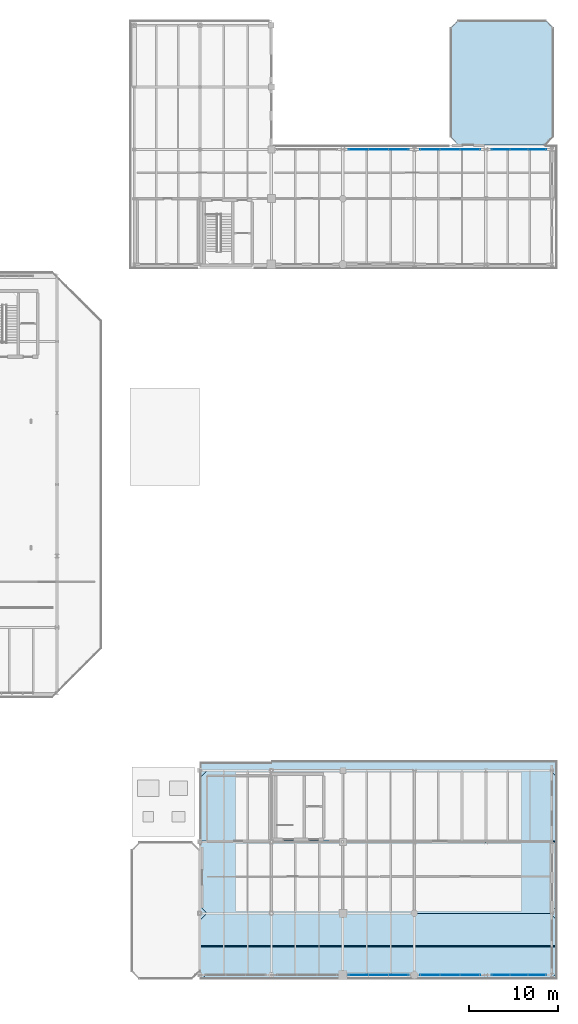
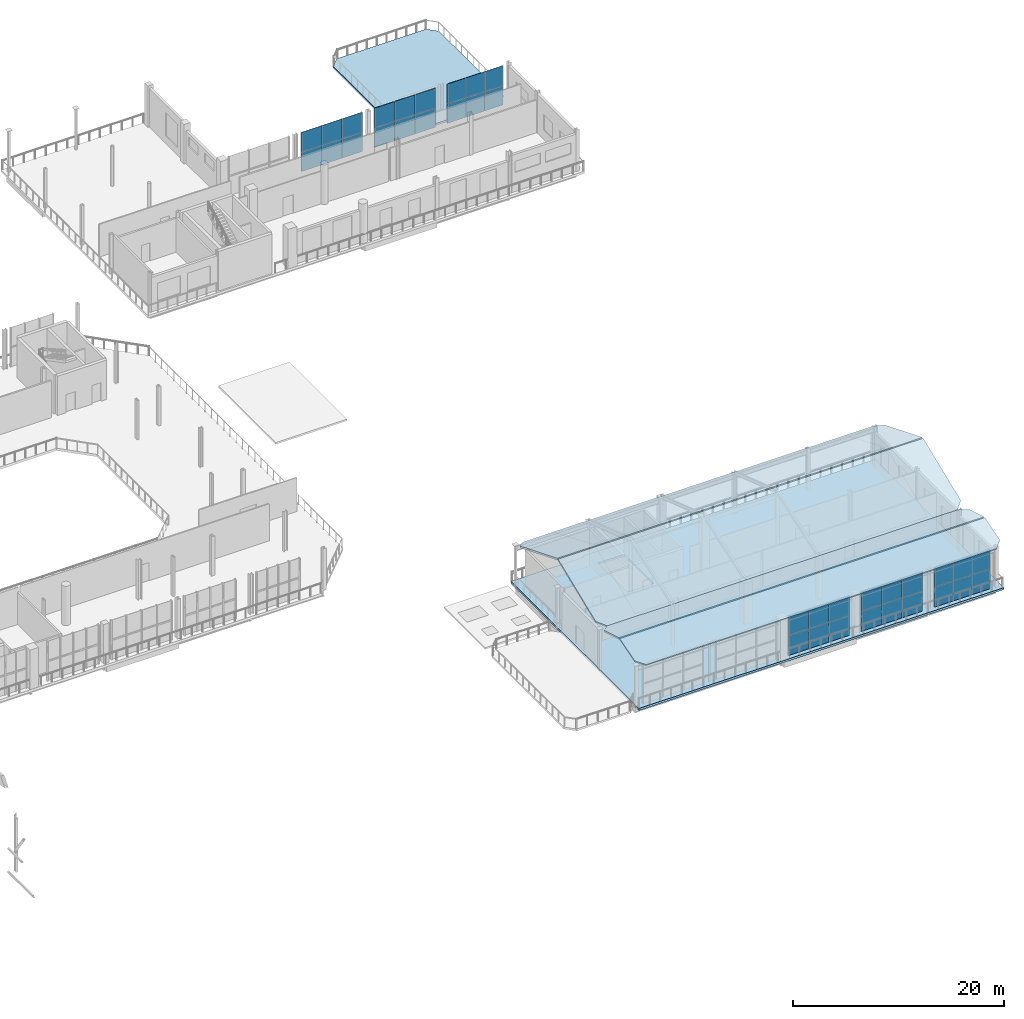
# One storey, part 31 of 51: 36 plates, 6 slabs, 6 elements without a shape of their own.
"""IFC4 building model written with IfcOpenShell, lengths in metres."""

import ifcopenshell
import ifcopenshell.guid

model = None  # the IFC model being written
_history = None  # IfcOwnerHistory: only IFC2X3 demands one
_inside = {}  # id of a spatial element -> (the spatial element, [elements in it])
_under = {}  # id of a project, library or spatial element -> (it, [spatial elements below it])
_declared = {}  # id of a project -> (the project, [libraries it declares])
_typed = {}  # id of a type object -> (the type object, [elements of that type])
_made_of = {}  # id of a material, layer set ... -> (it, [elements and type objects made of it])


def new_model(schema):
    """Start an empty IFC model of exactly this schema.

    Asked for "IFC4X3", IfcOpenShell would pick the latest addendum, in which some entities
    have other attributes; the version numbers below select the first issue.
    IFC2X3 requires an IfcOwnerHistory on every rooted entity: one is made here for all.
    """
    global model, _history
    if schema == "IFC4X3":
        model = ifcopenshell.file(schema_version=(4, 3, 0, 0))
    else:
        model = ifcopenshell.file(schema=schema)
    _inside.clear()
    _under.clear()
    _declared.clear()
    _typed.clear()
    _made_of.clear()
    _history = None
    if model.schema == "IFC2X3":
        org = make("IfcOrganization", Name="unknown")
        user = make(
            "IfcPersonAndOrganization",
            ThePerson=make("IfcPerson", FamilyName="unknown"),
            TheOrganization=org,
        )
        app = make(
            "IfcApplication",
            ApplicationDeveloper=org,
            Version="unknown",
            ApplicationFullName="unknown",
            ApplicationIdentifier="unknown",
        )
        _history = make(
            "IfcOwnerHistory",
            OwningUser=user,
            OwningApplication=app,
            ChangeAction="ADDED",
            CreationDate=0,
        )
    return model


def make(cls, **values):
    """One entity of the class cls with the attributes given. An attribute that is None is left unset."""
    return model.create_entity(
        cls, **{name: value for name, value in values.items() if value is not None}
    )


def rooted(cls, **values):
    """An entity with a GlobalId (a new one), such as an element, a storey or a relation."""
    return make(cls, GlobalId=ifcopenshell.guid.new(), OwnerHistory=_history, **values)


def si_unit(unit_type, name, prefix=None):
    """IfcSIUnit, for example si_unit("LENGTHUNIT", "METRE", prefix="MILLI")."""
    return make("IfcSIUnit", UnitType=unit_type, Prefix=prefix, Name=name)


def assignment(units):
    """IfcUnitAssignment: the units of a project."""
    return None if units is None else make("IfcUnitAssignment", Units=units)


def point(xyz):
    """IfcCartesianPoint."""
    return None if xyz is None else make("IfcCartesianPoint", Coordinates=xyz)


def direction(xyz):
    """IfcDirection."""
    return None if xyz is None else make("IfcDirection", DirectionRatios=xyz)


def frame(location, z_axis=None, x_axis=None):
    """IfcAxis2Placement3D, a coordinate frame: its origin and axes. An axis left out is left unset."""
    return make(
        "IfcAxis2Placement3D",
        Location=point(location),
        Axis=direction(z_axis),
        RefDirection=direction(x_axis),
    )


def frame_2d(location, x_axis=None):
    """IfcAxis2Placement2D, a coordinate frame in the plane: its origin and x axis."""
    return make(
        "IfcAxis2Placement2D", Location=point(location), RefDirection=direction(x_axis)
    )


def origin():
    """The frame at (0, 0, 0) with its axes left unset."""
    return frame((0.0, 0.0, 0.0))


def origin_2d():
    """The frame at (0, 0) in the plane with its x axis left unset."""
    return frame_2d((0.0, 0.0))


def place(relative_to, where):
    """IfcLocalPlacement: puts the frame where relative to a parent placement (None: the world)."""
    return make(
        "IfcLocalPlacement", PlacementRelTo=relative_to, RelativePlacement=where
    )


def context(
    kind, dimensions, precision=None, world=None, true_north=None, identifier=None
):
    """IfcGeometricRepresentationContext, for example the 3D "Model" context."""
    return make(
        "IfcGeometricRepresentationContext",
        ContextIdentifier=identifier,
        ContextType=kind,
        CoordinateSpaceDimension=dimensions,
        Precision=precision,
        WorldCoordinateSystem=world,
        TrueNorth=true_north,
    )


def subcontext(parent, identifier, kind, view, scale=None):
    """IfcGeometricRepresentationSubContext, for example "Body" below "Model"."""
    return make(
        "IfcGeometricRepresentationSubContext",
        ContextIdentifier=identifier,
        ContextType=kind,
        ParentContext=parent,
        TargetScale=scale,
        TargetView=view,
    )


def project(units=None, contexts=None):
    """IfcProject with its units and contexts."""
    return rooted(
        "IfcProject",
        Name="project",
        RepresentationContexts=contexts,
        UnitsInContext=assignment(units),
    )


def spatial(cls, under=None, at=None, **own):
    """A site, building, storey or space (cls), placed at a placement, below another one or the project."""
    s = rooted(cls, ObjectPlacement=at, **own)
    if under is not None:
        _under.setdefault(under.id(), (under, []))[1].append(s)
    return s


def polyline(points):
    """IfcPolyline through the points."""
    return make("IfcPolyline", Points=[point(p) for p in points])


def profile(cls, at=None, kind="AREA", **sizes):
    """A parametric profile (cls). Its sizes go by their IFC names, for example OverallWidth=200.0."""
    return make(cls, ProfileType=kind, Position=at, **sizes)


def rectangle(**sizes):
    """IfcRectangleProfileDef."""
    return profile("IfcRectangleProfileDef", **sizes)


def outline(outer, holes=None, kind="AREA"):
    """IfcArbitraryClosedProfileDef: a profile drawn as a closed curve; with holes, ...WithVoids."""
    if holes is None:
        return make("IfcArbitraryClosedProfileDef", ProfileType=kind, OuterCurve=outer)
    return make(
        "IfcArbitraryProfileDefWithVoids",
        ProfileType=kind,
        OuterCurve=outer,
        InnerCurves=holes,
    )


def extrude(swept, where, along, depth):
    """IfcExtrudedAreaSolid: the profile swept, set in the frame where, extruded along a direction by depth."""
    return make(
        "IfcExtrudedAreaSolid",
        SweptArea=swept,
        Position=where,
        ExtrudedDirection=direction(along),
        Depth=depth,
    )


def shape(context_of_items, identifier, shape_type, items):
    """IfcShapeRepresentation: the items that make up one representation, for example the "Body"."""
    return make(
        "IfcShapeRepresentation",
        ContextOfItems=context_of_items,
        RepresentationIdentifier=identifier,
        RepresentationType=shape_type,
        Items=items,
    )


def material(Name=None, Category=None):
    """IfcMaterial."""
    return make("IfcMaterial", Name=Name, Category=Category)


def layer(
    of_material, thickness, ventilated=None, Name=None, Category=None, Priority=None
):
    """IfcMaterialLayer: one layer of a wall or slab, of a material (None: an air gap)."""
    return make(
        "IfcMaterialLayer",
        Material=of_material,
        LayerThickness=thickness,
        IsVentilated=ventilated,
        Name=Name,
        Category=Category,
        Priority=Priority,
    )


def layer_set(layers, Name=None):
    """IfcMaterialLayerSet."""
    return make("IfcMaterialLayerSet", MaterialLayers=layers, LayerSetName=Name)


def made_of(thing, what):
    """Note that an element or type object is made of a material, layer set ...; save() writes the relation."""
    if what is not None:
        _made_of.setdefault(what.id(), (what, []))[1].append(thing)
    return thing


def type_object(cls, material=None, **own):
    """A type object (cls), such as IfcWallType, which elements share."""
    return made_of(rooted(cls, **own), material)


def element(
    cls,
    number,
    at=None,
    inside=None,
    cuts=None,
    type_object=None,
    material=None,
    context=None,
    identifier="Body",
    shape_type=None,
    held_by="IfcProductDefinitionShape",
    body=None,
    shapes=None,
    **own,
):
    """One element of the class cls, such as IfcWall. Its Tag is "e" and its number.

    at: its placement. inside: the storey or other place that contains it. cuts: it is an
    opening in that element (IfcRelVoidsElement). A single representation is given by context,
    identifier, shape_type and body (its items); several are given by shapes. held_by: the class
    of the entity that holds the representations. save() writes the other relations.
    """
    e = rooted(cls, Tag="e%d" % number, ObjectPlacement=at, **own)
    if body is not None:
        shapes = [shape(context, identifier, shape_type, body)]
    if shapes is not None:
        e.Representation = make(held_by, Representations=shapes)
    if inside is not None:
        _inside.setdefault(inside.id(), (inside, []))[1].append(e)
    if cuts is not None:
        rooted(
            "IfcRelVoidsElement", RelatingBuildingElement=cuts, RelatedOpeningElement=e
        )
    if type_object is not None:
        _typed.setdefault(type_object.id(), (type_object, []))[1].append(e)
    return made_of(e, material)


def aggregate(whole, parts):
    """IfcRelAggregates: a whole, such as a stair, and the parts it consists of."""
    return rooted("IfcRelAggregates", RelatingObject=whole, RelatedObjects=parts)


def save(model, path):
    """Write the relations noted so far, then the file.

    IfcRelAggregates (storeys below a building ...), IfcRelContainedInSpatialStructure (elements
    in a storey), IfcRelDefinesByType, IfcRelAssociatesMaterial and IfcRelDeclares: one each for
    every whole, place, type object, material and project.
    """
    for whole, parts in _under.values():
        aggregate(whole, parts)
    for where, things in _inside.values():
        rooted(
            "IfcRelContainedInSpatialStructure",
            RelatedElements=things,
            RelatingStructure=where,
        )
    for kind, things in _typed.values():
        rooted("IfcRelDefinesByType", RelatedObjects=things, RelatingType=kind)
    for what, things in _made_of.values():
        rooted("IfcRelAssociatesMaterial", RelatedObjects=things, RelatingMaterial=what)
    for by, libraries in _declared.values():
        rooted("IfcRelDeclares", RelatingContext=by, RelatedDefinitions=libraries)
    model.write(path)


model = new_model("IFC4")

# Units and contexts
model_context = context("Model", 3, precision=1e-05, world=origin(), true_north=direction((0.0, 1.0)))
body_context = subcontext(model_context, "Body", "Model", "MODEL_VIEW")
ifc_project = project(units=[si_unit("LENGTHUNIT", "METRE"), si_unit("AREAUNIT", "SQUARE_METRE"), si_unit("VOLUMEUNIT", "CUBIC_METRE"), si_unit("PLANEANGLEUNIT", "RADIAN"), si_unit("MASSUNIT", "GRAM", prefix="KILO")], contexts=[model_context])

# Site, building, storey
site_placement = place(None, origin())
site = spatial("IfcSite", under=ifc_project, at=site_placement, CompositionType="ELEMENT")
building_placement = place(site_placement, origin())
building = spatial("IfcBuilding", under=site, at=building_placement, Name="Brisemont Oceanarium", CompositionType="ELEMENT")
storey_placement = place(building_placement, frame((0.0, 0.0, 15.0)))
storey = spatial("IfcBuildingStorey", under=building, at=storey_placement, Name="L03", CompositionType="ELEMENT", Elevation=15.0)

# Curtain wall, plates
ifc_material_1 = material(Name="Anodized Extruded Aluminum 6063-T6", Category="aluminium")
curtain_wall_type_1 = type_object("IfcCurtainWallType", Name="CW-EDU-58X43", PredefinedType="NOTDEFINED", material=ifc_material_1)
curtain_wall_1_placement = place(storey_placement, origin())
curtain_wall_1 = element("IfcCurtainWall", 1, at=curtain_wall_1_placement, inside=storey, type_object=curtain_wall_type_1, Name="CW-10 curtain wall CW-V3-S-L03-03", PredefinedType="NOTDEFINED")
ifc_material_2 = material(Name="Insulated Low-E Laminated Glass", Category="glass")
ifc_layer_1 = layer(ifc_material_2, 0.02587890625)
ifc_layer_set_1 = layer_set([ifc_layer_1], Name="Insulated Low-E Laminated Glass")
plate_type_1 = type_object("IfcPlateType", Name="PLT-CWP-V10", PredefinedType="CURTAIN_PANEL", material=ifc_layer_set_1)
plate_1_placement = place(storey_placement, frame((137.7666015625, 1.10009765625, 0.00146484375), z_axis=(0.0, 0.0, 1.0), x_axis=(1.0, 0.0, 0.0)))
plate_1 = element("IfcPlate", 2, at=plate_1_placement, type_object=plate_type_1, Name="CW-V3-S-L03-03 panel 1.1", PredefinedType="CURTAIN_PANEL", context=body_context, shape_type="SweptSolid", body=[
    extrude(rectangle(XDim=2.230224609375, YDim=0.02587890625, at=origin_2d()), origin(), (0.0, 0.0, 1.0), 2.297119140625),
])
plate_2_placement = place(storey_placement, frame((137.7666015625, 1.10009765625, 2.30126953125), z_axis=(0.0, 0.0, 1.0), x_axis=(1.0, 0.0, 0.0)))
plate_2 = element("IfcPlate", 3, at=plate_2_placement, type_object=plate_type_1, Name="CW-V3-S-L03-03 panel 1.2", PredefinedType="CURTAIN_PANEL", context=body_context, shape_type="SweptSolid", body=[
    extrude(rectangle(XDim=2.230224609375, YDim=0.02587890625, at=origin_2d()), origin(), (0.0, 0.0, 1.0), 2.297119140625),
])
plate_3_placement = place(storey_placement, frame((140.0, 1.10009765625, 0.00146484375), z_axis=(0.0, 0.0, 1.0), x_axis=(1.0, 0.0, 0.0)))
plate_3 = element("IfcPlate", 4, at=plate_3_placement, type_object=plate_type_1, Name="CW-V3-S-L03-03 panel 2.1", PredefinedType="CURTAIN_PANEL", context=body_context, shape_type="SweptSolid", body=[
    extrude(rectangle(XDim=2.230224609375, YDim=0.02587890625, at=origin_2d()), origin(), (0.0, 0.0, 1.0), 2.297119140625),
])
plate_4_placement = place(storey_placement, frame((140.0, 1.10009765625, 2.30126953125), z_axis=(0.0, 0.0, 1.0), x_axis=(1.0, 0.0, 0.0)))
plate_4 = element("IfcPlate", 5, at=plate_4_placement, type_object=plate_type_1, Name="CW-V3-S-L03-03 panel 2.2", PredefinedType="CURTAIN_PANEL", context=body_context, shape_type="SweptSolid", body=[
    extrude(rectangle(XDim=2.230224609375, YDim=0.02587890625, at=origin_2d()), origin(), (0.0, 0.0, 1.0), 2.297119140625),
])
plate_5_placement = place(storey_placement, frame((142.2333984375, 1.10009765625, 0.00146484375), z_axis=(0.0, 0.0, 1.0), x_axis=(1.0, 0.0, 0.0)))
plate_5 = element("IfcPlate", 6, at=plate_5_placement, type_object=plate_type_1, Name="CW-V3-S-L03-03 panel 3.1", PredefinedType="CURTAIN_PANEL", context=body_context, shape_type="SweptSolid", body=[
    extrude(rectangle(XDim=2.230224609375, YDim=0.02587890625, at=origin_2d()), origin(), (0.0, 0.0, 1.0), 2.297119140625),
])
plate_6_placement = place(storey_placement, frame((142.2333984375, 1.10009765625, 2.30126953125), z_axis=(0.0, 0.0, 1.0), x_axis=(1.0, 0.0, 0.0)))
plate_6 = element("IfcPlate", 7, at=plate_6_placement, type_object=plate_type_1, Name="CW-V3-S-L03-03 panel 3.2", PredefinedType="CURTAIN_PANEL", context=body_context, shape_type="SweptSolid", body=[
    extrude(rectangle(XDim=2.230224609375, YDim=0.02587890625, at=origin_2d()), origin(), (0.0, 0.0, 1.0), 2.297119140625),
])
aggregate(curtain_wall_1, [plate_1, plate_2, plate_3, plate_4, plate_5, plate_6])

curtain_wall_2_placement = place(storey_placement, origin())
curtain_wall_2 = element("IfcCurtainWall", 8, at=curtain_wall_2_placement, inside=storey, type_object=curtain_wall_type_1, Name="CW-10 curtain wall CW-V3-S-L03-04", PredefinedType="NOTDEFINED")
plate_7_placement = place(storey_placement, frame((145.7666015625, 1.10009765625, 0.00146484375), z_axis=(0.0, 0.0, 1.0), x_axis=(1.0, 0.0, 0.0)))
plate_7 = element("IfcPlate", 9, at=plate_7_placement, type_object=plate_type_1, Name="CW-V3-S-L03-04 panel 1.1", PredefinedType="CURTAIN_PANEL", context=body_context, shape_type="SweptSolid", body=[
    extrude(rectangle(XDim=2.230224609375, YDim=0.02587890625, at=origin_2d()), origin(), (0.0, 0.0, 1.0), 2.297119140625),
])
plate_8_placement = place(storey_placement, frame((145.7666015625, 1.10009765625, 2.30126953125), z_axis=(0.0, 0.0, 1.0), x_axis=(1.0, 0.0, 0.0)))
plate_8 = element("IfcPlate", 10, at=plate_8_placement, type_object=plate_type_1, Name="CW-V3-S-L03-04 panel 1.2", PredefinedType="CURTAIN_PANEL", context=body_context, shape_type="SweptSolid", body=[
    extrude(rectangle(XDim=2.230224609375, YDim=0.02587890625, at=origin_2d()), origin(), (0.0, 0.0, 1.0), 2.297119140625),
])
plate_9_placement = place(storey_placement, frame((148.0, 1.10009765625, 0.00146484375), z_axis=(0.0, 0.0, 1.0), x_axis=(1.0, 0.0, 0.0)))
plate_9 = element("IfcPlate", 11, at=plate_9_placement, type_object=plate_type_1, Name="CW-V3-S-L03-04 panel 2.1", PredefinedType="CURTAIN_PANEL", context=body_context, shape_type="SweptSolid", body=[
    extrude(rectangle(XDim=2.230224609375, YDim=0.02587890625, at=origin_2d()), origin(), (0.0, 0.0, 1.0), 2.297119140625),
])
plate_10_placement = place(storey_placement, frame((148.0, 1.10009765625, 2.30126953125), z_axis=(0.0, 0.0, 1.0), x_axis=(1.0, 0.0, 0.0)))
plate_10 = element("IfcPlate", 12, at=plate_10_placement, type_object=plate_type_1, Name="CW-V3-S-L03-04 panel 2.2", PredefinedType="CURTAIN_PANEL", context=body_context, shape_type="SweptSolid", body=[
    extrude(rectangle(XDim=2.230224609375, YDim=0.02587890625, at=origin_2d()), origin(), (0.0, 0.0, 1.0), 2.297119140625),
])
plate_11_placement = place(storey_placement, frame((150.2333984375, 1.10009765625, 0.00146484375), z_axis=(0.0, 0.0, 1.0), x_axis=(1.0, 0.0, 0.0)))
plate_11 = element("IfcPlate", 13, at=plate_11_placement, type_object=plate_type_1, Name="CW-V3-S-L03-04 panel 3.1", PredefinedType="CURTAIN_PANEL", context=body_context, shape_type="SweptSolid", body=[
    extrude(rectangle(XDim=2.230224609375, YDim=0.02587890625, at=origin_2d()), origin(), (0.0, 0.0, 1.0), 2.297119140625),
])
plate_12_placement = place(storey_placement, frame((150.2333984375, 1.10009765625, 2.30126953125), z_axis=(0.0, 0.0, 1.0), x_axis=(1.0, 0.0, 0.0)))
plate_12 = element("IfcPlate", 14, at=plate_12_placement, type_object=plate_type_1, Name="CW-V3-S-L03-04 panel 3.2", PredefinedType="CURTAIN_PANEL", context=body_context, shape_type="SweptSolid", body=[
    extrude(rectangle(XDim=2.230224609375, YDim=0.02587890625, at=origin_2d()), origin(), (0.0, 0.0, 1.0), 2.297119140625),
])
aggregate(curtain_wall_2, [plate_7, plate_8, plate_9, plate_10, plate_11, plate_12])

curtain_wall_3_placement = place(storey_placement, origin())
curtain_wall_3 = element("IfcCurtainWall", 15, at=curtain_wall_3_placement, inside=storey, type_object=curtain_wall_type_1, Name="CW-10 curtain wall CW-V3-S-L03-05", PredefinedType="NOTDEFINED")
plate_13_placement = place(storey_placement, frame((153.666748046875, 1.10009765625, 0.00146484375), z_axis=(0.0, 0.0, 1.0), x_axis=(1.0, 0.0, 0.0)))
plate_13 = element("IfcPlate", 16, at=plate_13_placement, type_object=plate_type_1, Name="CW-V3-S-L03-05 panel 1.1", PredefinedType="CURTAIN_PANEL", context=body_context, shape_type="SweptSolid", body=[
    extrude(rectangle(XDim=2.0302734375, YDim=0.02587890625, at=origin_2d()), origin(), (0.0, 0.0, 1.0), 2.297119140625),
])
plate_14_placement = place(storey_placement, frame((153.666748046875, 1.10009765625, 2.30126953125), z_axis=(0.0, 0.0, 1.0), x_axis=(1.0, 0.0, 0.0)))
plate_14 = element("IfcPlate", 17, at=plate_14_placement, type_object=plate_type_1, Name="CW-V3-S-L03-05 panel 1.2", PredefinedType="CURTAIN_PANEL", context=body_context, shape_type="SweptSolid", body=[
    extrude(rectangle(XDim=2.0302734375, YDim=0.02587890625, at=origin_2d()), origin(), (0.0, 0.0, 1.0), 2.297119140625),
])
plate_15_placement = place(storey_placement, frame((155.699951171875, 1.10009765625, 0.00146484375), z_axis=(0.0, 0.0, 1.0), x_axis=(1.0, 0.0, 0.0)))
plate_15 = element("IfcPlate", 18, at=plate_15_placement, type_object=plate_type_1, Name="CW-V3-S-L03-05 panel 2.1", PredefinedType="CURTAIN_PANEL", context=body_context, shape_type="SweptSolid", body=[
    extrude(rectangle(XDim=2.0302734375, YDim=0.02587890625, at=origin_2d()), origin(), (0.0, 0.0, 1.0), 2.297119140625),
])
plate_16_placement = place(storey_placement, frame((155.699951171875, 1.10009765625, 2.30126953125), z_axis=(0.0, 0.0, 1.0), x_axis=(1.0, 0.0, 0.0)))
plate_16 = element("IfcPlate", 19, at=plate_16_placement, type_object=plate_type_1, Name="CW-V3-S-L03-05 panel 2.2", PredefinedType="CURTAIN_PANEL", context=body_context, shape_type="SweptSolid", body=[
    extrude(rectangle(XDim=2.0302734375, YDim=0.02587890625, at=origin_2d()), origin(), (0.0, 0.0, 1.0), 2.297119140625),
])
plate_17_placement = place(storey_placement, frame((157.7333984375, 1.10009765625, 0.00146484375), z_axis=(0.0, 0.0, 1.0), x_axis=(1.0, 0.0, 0.0)))
plate_17 = element("IfcPlate", 20, at=plate_17_placement, type_object=plate_type_1, Name="CW-V3-S-L03-05 panel 3.1", PredefinedType="CURTAIN_PANEL", context=body_context, shape_type="SweptSolid", body=[
    extrude(rectangle(XDim=2.0302734375, YDim=0.02587890625, at=origin_2d()), origin(), (0.0, 0.0, 1.0), 2.297119140625),
])
plate_18_placement = place(storey_placement, frame((157.7333984375, 1.10009765625, 2.30126953125), z_axis=(0.0, 0.0, 1.0), x_axis=(1.0, 0.0, 0.0)))
plate_18 = element("IfcPlate", 21, at=plate_18_placement, type_object=plate_type_1, Name="CW-V3-S-L03-05 panel 3.2", PredefinedType="CURTAIN_PANEL", context=body_context, shape_type="SweptSolid", body=[
    extrude(rectangle(XDim=2.0302734375, YDim=0.02587890625, at=origin_2d()), origin(), (0.0, 0.0, 1.0), 2.297119140625),
])
aggregate(curtain_wall_3, [plate_13, plate_14, plate_15, plate_16, plate_17, plate_18])

ifc_material_3 = material(Name="Anodized Extruded Aluminum 6063-T6", Category="aluminium")
curtain_wall_type_2 = type_object("IfcCurtainWallType", Name="CW-RES-61X43", PredefinedType="NOTDEFINED", material=ifc_material_3)
curtain_wall_4_placement = place(storey_placement, origin())
curtain_wall_4 = element("IfcCurtainWall", 22, at=curtain_wall_4_placement, inside=storey, type_object=curtain_wall_type_2, Name="CW-17 curtain wall CW-V6-N-L03-02", PredefinedType="NOTDEFINED")
ifc_material_4 = material(Name="Insulated Low-E Laminated Glass", Category="glass")
ifc_layer_2 = layer(ifc_material_4, 0.02587890625)
ifc_layer_set_2 = layer_set([ifc_layer_2], Name="Insulated Low-E Laminated Glass")
plate_type_2 = type_object("IfcPlateType", Name="PLT-CWP-V9", PredefinedType="CURTAIN_PANEL", material=ifc_layer_set_2)
plate_19_placement = place(storey_placement, frame((137.7666015625, 93.5, 0.00146484375), z_axis=(0.0, 0.0, 1.0), x_axis=(1.0, 0.0, 0.0)))
plate_19 = element("IfcPlate", 23, at=plate_19_placement, type_object=plate_type_2, Name="CW-V6-N-L03-02 panel 1.1", PredefinedType="CURTAIN_PANEL", context=body_context, shape_type="SweptSolid", body=[
    extrude(rectangle(XDim=2.230224609375, YDim=0.02587890625, at=origin_2d()), origin(), (0.0, 0.0, 1.0), 2.277099609375),
])
plate_20_placement = place(storey_placement, frame((137.7666015625, 93.5, 2.28125), z_axis=(0.0, 0.0, 1.0), x_axis=(1.0, 0.0, 0.0)))
plate_20 = element("IfcPlate", 24, at=plate_20_placement, type_object=plate_type_2, Name="CW-V6-N-L03-02 panel 1.2", PredefinedType="CURTAIN_PANEL", context=body_context, shape_type="SweptSolid", body=[
    extrude(rectangle(XDim=2.230224609375, YDim=0.02587890625, at=origin_2d()), origin(), (0.0, 0.0, 1.0), 2.277099609375),
])
plate_21_placement = place(storey_placement, frame((140.0, 93.5, 0.00146484375), z_axis=(0.0, 0.0, 1.0), x_axis=(1.0, 0.0, 0.0)))
plate_21 = element("IfcPlate", 25, at=plate_21_placement, type_object=plate_type_2, Name="CW-V6-N-L03-02 panel 2.1", PredefinedType="CURTAIN_PANEL", context=body_context, shape_type="SweptSolid", body=[
    extrude(rectangle(XDim=2.230224609375, YDim=0.02587890625, at=origin_2d()), origin(), (0.0, 0.0, 1.0), 2.277099609375),
])
plate_22_placement = place(storey_placement, frame((140.0, 93.5, 2.28125), z_axis=(0.0, 0.0, 1.0), x_axis=(1.0, 0.0, 0.0)))
plate_22 = element("IfcPlate", 26, at=plate_22_placement, type_object=plate_type_2, Name="CW-V6-N-L03-02 panel 2.2", PredefinedType="CURTAIN_PANEL", context=body_context, shape_type="SweptSolid", body=[
    extrude(rectangle(XDim=2.230224609375, YDim=0.02587890625, at=origin_2d()), origin(), (0.0, 0.0, 1.0), 2.277099609375),
])
plate_23_placement = place(storey_placement, frame((142.2333984375, 93.5, 0.00146484375), z_axis=(0.0, 0.0, 1.0), x_axis=(1.0, 0.0, 0.0)))
plate_23 = element("IfcPlate", 27, at=plate_23_placement, type_object=plate_type_2, Name="CW-V6-N-L03-02 panel 3.1", PredefinedType="CURTAIN_PANEL", context=body_context, shape_type="SweptSolid", body=[
    extrude(rectangle(XDim=2.230224609375, YDim=0.02587890625, at=origin_2d()), origin(), (0.0, 0.0, 1.0), 2.277099609375),
])
plate_24_placement = place(storey_placement, frame((142.2333984375, 93.5, 2.28125), z_axis=(0.0, 0.0, 1.0), x_axis=(1.0, 0.0, 0.0)))
plate_24 = element("IfcPlate", 28, at=plate_24_placement, type_object=plate_type_2, Name="CW-V6-N-L03-02 panel 3.2", PredefinedType="CURTAIN_PANEL", context=body_context, shape_type="SweptSolid", body=[
    extrude(rectangle(XDim=2.230224609375, YDim=0.02587890625, at=origin_2d()), origin(), (0.0, 0.0, 1.0), 2.277099609375),
])
aggregate(curtain_wall_4, [plate_19, plate_20, plate_21, plate_22, plate_23, plate_24])

curtain_wall_5_placement = place(storey_placement, origin())
curtain_wall_5 = element("IfcCurtainWall", 29, at=curtain_wall_5_placement, inside=storey, type_object=curtain_wall_type_2, Name="CW-17 curtain wall CW-V6-N-L03-03", PredefinedType="NOTDEFINED")
plate_25_placement = place(storey_placement, frame((145.7666015625, 93.5, 0.00146484375), z_axis=(0.0, 0.0, 1.0), x_axis=(1.0, 0.0, 0.0)))
plate_25 = element("IfcPlate", 30, at=plate_25_placement, type_object=plate_type_2, Name="CW-V6-N-L03-03 panel 1.1", PredefinedType="CURTAIN_PANEL", context=body_context, shape_type="SweptSolid", body=[
    extrude(rectangle(XDim=2.230224609375, YDim=0.02587890625, at=origin_2d()), origin(), (0.0, 0.0, 1.0), 2.277099609375),
])
plate_26_placement = place(storey_placement, frame((145.7666015625, 93.5, 2.28125), z_axis=(0.0, 0.0, 1.0), x_axis=(1.0, 0.0, 0.0)))
plate_26 = element("IfcPlate", 31, at=plate_26_placement, type_object=plate_type_2, Name="CW-V6-N-L03-03 panel 1.2", PredefinedType="CURTAIN_PANEL", context=body_context, shape_type="SweptSolid", body=[
    extrude(rectangle(XDim=2.230224609375, YDim=0.02587890625, at=origin_2d()), origin(), (0.0, 0.0, 1.0), 2.277099609375),
])
plate_27_placement = place(storey_placement, frame((148.0, 93.5, 0.00146484375), z_axis=(0.0, 0.0, 1.0), x_axis=(1.0, 0.0, 0.0)))
plate_27 = element("IfcPlate", 32, at=plate_27_placement, type_object=plate_type_2, Name="CW-V6-N-L03-03 panel 2.1", PredefinedType="CURTAIN_PANEL", context=body_context, shape_type="SweptSolid", body=[
    extrude(rectangle(XDim=2.230224609375, YDim=0.02587890625, at=origin_2d()), origin(), (0.0, 0.0, 1.0), 2.277099609375),
])
plate_28_placement = place(storey_placement, frame((148.0, 93.5, 2.28125), z_axis=(0.0, 0.0, 1.0), x_axis=(1.0, 0.0, 0.0)))
plate_28 = element("IfcPlate", 33, at=plate_28_placement, type_object=plate_type_2, Name="CW-V6-N-L03-03 panel 2.2", PredefinedType="CURTAIN_PANEL", context=body_context, shape_type="SweptSolid", body=[
    extrude(rectangle(XDim=2.230224609375, YDim=0.02587890625, at=origin_2d()), origin(), (0.0, 0.0, 1.0), 2.277099609375),
])
plate_29_placement = place(storey_placement, frame((150.2333984375, 93.5, 0.00146484375), z_axis=(0.0, 0.0, 1.0), x_axis=(1.0, 0.0, 0.0)))
plate_29 = element("IfcPlate", 34, at=plate_29_placement, type_object=plate_type_2, Name="CW-V6-N-L03-03 panel 3.1", PredefinedType="CURTAIN_PANEL", context=body_context, shape_type="SweptSolid", body=[
    extrude(rectangle(XDim=2.230224609375, YDim=0.02587890625, at=origin_2d()), origin(), (0.0, 0.0, 1.0), 2.277099609375),
])
plate_30_placement = place(storey_placement, frame((150.2333984375, 93.5, 2.28125), z_axis=(0.0, 0.0, 1.0), x_axis=(1.0, 0.0, 0.0)))
plate_30 = element("IfcPlate", 35, at=plate_30_placement, type_object=plate_type_2, Name="CW-V6-N-L03-03 panel 3.2", PredefinedType="CURTAIN_PANEL", context=body_context, shape_type="SweptSolid", body=[
    extrude(rectangle(XDim=2.230224609375, YDim=0.02587890625, at=origin_2d()), origin(), (0.0, 0.0, 1.0), 2.277099609375),
])
aggregate(curtain_wall_5, [plate_25, plate_26, plate_27, plate_28, plate_29, plate_30])

curtain_wall_6_placement = place(storey_placement, origin())
curtain_wall_6 = element("IfcCurtainWall", 36, at=curtain_wall_6_placement, inside=storey, type_object=curtain_wall_type_2, Name="CW-17 curtain wall CW-V6-N-L03-04", PredefinedType="NOTDEFINED")
plate_31_placement = place(storey_placement, frame((153.666748046875, 93.5, 0.00146484375), z_axis=(0.0, 0.0, 1.0), x_axis=(1.0, 0.0, 0.0)))
plate_31 = element("IfcPlate", 37, at=plate_31_placement, type_object=plate_type_2, Name="CW-V6-N-L03-04 panel 1.1", PredefinedType="CURTAIN_PANEL", context=body_context, shape_type="SweptSolid", body=[
    extrude(rectangle(XDim=2.0302734375, YDim=0.02587890625, at=origin_2d()), origin(), (0.0, 0.0, 1.0), 2.277099609375),
])
plate_32_placement = place(storey_placement, frame((153.666748046875, 93.5, 2.28125), z_axis=(0.0, 0.0, 1.0), x_axis=(1.0, 0.0, 0.0)))
plate_32 = element("IfcPlate", 38, at=plate_32_placement, type_object=plate_type_2, Name="CW-V6-N-L03-04 panel 1.2", PredefinedType="CURTAIN_PANEL", context=body_context, shape_type="SweptSolid", body=[
    extrude(rectangle(XDim=2.0302734375, YDim=0.02587890625, at=origin_2d()), origin(), (0.0, 0.0, 1.0), 2.277099609375),
])
plate_33_placement = place(storey_placement, frame((155.699951171875, 93.5, 0.00146484375), z_axis=(0.0, 0.0, 1.0), x_axis=(1.0, 0.0, 0.0)))
plate_33 = element("IfcPlate", 39, at=plate_33_placement, type_object=plate_type_2, Name="CW-V6-N-L03-04 panel 2.1", PredefinedType="CURTAIN_PANEL", context=body_context, shape_type="SweptSolid", body=[
    extrude(rectangle(XDim=2.0302734375, YDim=0.02587890625, at=origin_2d()), origin(), (0.0, 0.0, 1.0), 2.277099609375),
])
plate_34_placement = place(storey_placement, frame((155.699951171875, 93.5, 2.28125), z_axis=(0.0, 0.0, 1.0), x_axis=(1.0, 0.0, 0.0)))
plate_34 = element("IfcPlate", 40, at=plate_34_placement, type_object=plate_type_2, Name="CW-V6-N-L03-04 panel 2.2", PredefinedType="CURTAIN_PANEL", context=body_context, shape_type="SweptSolid", body=[
    extrude(rectangle(XDim=2.0302734375, YDim=0.02587890625, at=origin_2d()), origin(), (0.0, 0.0, 1.0), 2.277099609375),
])
plate_35_placement = place(storey_placement, frame((157.7333984375, 93.5, 0.00146484375), z_axis=(0.0, 0.0, 1.0), x_axis=(1.0, 0.0, 0.0)))
plate_35 = element("IfcPlate", 41, at=plate_35_placement, type_object=plate_type_2, Name="CW-V6-N-L03-04 panel 3.1", PredefinedType="CURTAIN_PANEL", context=body_context, shape_type="SweptSolid", body=[
    extrude(rectangle(XDim=2.0302734375, YDim=0.02587890625, at=origin_2d()), origin(), (0.0, 0.0, 1.0), 2.277099609375),
])
plate_36_placement = place(storey_placement, frame((157.7333984375, 93.5, 2.28125), z_axis=(0.0, 0.0, 1.0), x_axis=(1.0, 0.0, 0.0)))
plate_36 = element("IfcPlate", 42, at=plate_36_placement, type_object=plate_type_2, Name="CW-V6-N-L03-04 panel 3.2", PredefinedType="CURTAIN_PANEL", context=body_context, shape_type="SweptSolid", body=[
    extrude(rectangle(XDim=2.0302734375, YDim=0.02587890625, at=origin_2d()), origin(), (0.0, 0.0, 1.0), 2.277099609375),
])
aggregate(curtain_wall_6, [plate_31, plate_32, plate_33, plate_34, plate_35, plate_36])

# Slabs
ifc_material_5 = material(Name="Concrete C35/45", Category="concrete")
ifc_layer_3 = layer(ifc_material_5, 0.239990234375)
ifc_layer_set_3 = layer_set([ifc_layer_3], Name="Concrete C35/45")
slab_type_1 = type_object("IfcSlabType", Name="SLB-FLR-240", PredefinedType="FLOOR", material=ifc_layer_set_3)
slab_1_placement = place(storey_placement, frame((0.0, 0.0, -0.239990234375)))
element("IfcSlab", 43, at=slab_1_placement, inside=storey, type_object=slab_type_1, Name="V3 L03 floor slab", PredefinedType="FLOOR", context=body_context, shape_type="SweptSolid", body=[
    extrude(outline(polyline([(120.0, 0.60009765625), (160.0, 0.60009765625), (160.0, 25.10009765625), (128.0, 25.10009765625), (128.0, 24.89990234375), (120.0, 24.89990234375), (120.0, 0.60009765625)]), holes=[polyline([(128.669921875, 17.840087890625), (131.570068359375, 17.840087890625), (131.570068359375, 23.3798828125), (128.669921875, 23.3798828125), (128.669921875, 17.840087890625)])]), origin(), (0.0, 0.0, 1.0), 0.239990234375),
])
ifc_material_6 = material(Name="Concrete C35/45", Category="concrete")
ifc_layer_4 = layer(ifc_material_6, 0.179931640625)
ifc_layer_set_4 = layer_set([ifc_layer_4], Name="Concrete C35/45")
slab_type_2 = type_object("IfcSlabType", Name="SLB-RF-180", PredefinedType="ROOF", material=ifc_layer_set_4)
slab_2_placement = place(storey_placement, frame((120.800048828125, 0.60009765625, 4.800048828125), z_axis=(0.0, -0.290714029987, 0.956809987808), x_axis=(1.0, 0.0, 0.0)))
element("IfcSlab", 44, at=slab_2_placement, inside=storey, type_object=slab_type_2, Name="V3-SOUTH pitched roof S slope", PredefinedType="ROOF", context=body_context, shape_type="SweptSolid", body=[
    extrude(outline(polyline([(0.0, 0.0), (38.39990234375, 0.0), (39.199951171875, 0.8359523178528635), (39.199951171875, 3.783273533768882), (-0.800048828125, 3.783273533768882), (-0.800048828125, 0.8359523178528635), (0.0, 0.0)])), origin(), (0.0, 0.0, -1.0), 0.179931640625),
])
slab_3_placement = place(storey_placement, frame((120.0, 4.3798828125, 5.89990234375), z_axis=(0.0, 0.290696361964, 0.956815355824), x_axis=(1.0, 0.0, 0.0)))
element("IfcSlab", 45, at=slab_3_placement, inside=storey, type_object=slab_type_2, Name="V3-SOUTH pitched roof N slope", PredefinedType="ROOF", context=body_context, shape_type="SweptSolid", body=[
    extrude(outline(polyline([(0.0, 0.0), (40.0, 0.0), (40.0, 2.947321218080184), (39.199951171875, 3.783507130568437), (0.800048828125, 3.783507130568437), (0.0, 2.947321218080184), (0.0, 0.0)])), origin(), (0.0, 0.0, -1.0), 0.179931640625),
])
ifc_material_7 = material(Name="Concrete C35/45", Category="concrete")
ifc_layer_5 = layer(ifc_material_7, 0.199951171875)
ifc_layer_set_5 = layer_set([ifc_layer_5], Name="Concrete C35/45")
slab_type_3 = type_object("IfcSlabType", Name="SLB-RF-200", PredefinedType="ROOF", material=ifc_layer_set_5)
slab_4_placement = place(storey_placement, frame((120.800048828125, 8.0, 4.800048828125), z_axis=(0.0, -0.374616173467, 0.927179983917), x_axis=(1.0, 0.0, 0.0)))
element("IfcSlab", 46, at=slab_4_placement, inside=storey, type_object=slab_type_3, Name="V3-MAIN pitched roof S slope", PredefinedType="ROOF", context=body_context, shape_type="SweptSolid", body=[
    extrude(outline(polyline([(0.0, 0.0), (38.39990234375, 0.0), (39.199951171875, 0.8628810109783697), (39.199951171875, 8.541946499978074), (-0.800048828125, 8.541946499978074), (-0.800048828125, 0.8628810109783697), (0.0, 0.0)])), origin(), (0.0, 0.0, -1.0), 0.199951171875),
])
slab_5_placement = place(storey_placement, frame((120.0, 16.080078125, 8.0), z_axis=(0.0, 0.374616173467, 0.927179983917), x_axis=(1.0, 0.0, 0.0)))
element("IfcSlab", 47, at=slab_5_placement, inside=storey, type_object=slab_type_3, Name="V3-MAIN pitched roof N slope", PredefinedType="ROOF", context=body_context, shape_type="SweptSolid", body=[
    extrude(outline(polyline([(0.0, 0.0), (40.0, 0.0), (40.0, 7.679065488999704), (39.199951171875, 8.541946499978074), (0.800048828125, 8.541946499978074), (0.0, 7.679065488999704), (0.0, 0.0)])), origin(), (0.0, 0.0, -1.0), 0.199951171875),
])
ifc_material_8 = material(Name="Concrete C40/50", Category="concrete")
ifc_layer_6 = layer(ifc_material_8, 0.219970703125)
ifc_layer_set_6 = layer_set([ifc_layer_6], Name="Concrete C40/50")
slab_type_4 = type_object("IfcSlabType", Name="SLB-TER-220", PredefinedType="FLOOR", material=ifc_layer_set_6)
slab_6_placement = place(storey_placement, frame((0.0, 0.0, -0.219970703125)))
element("IfcSlab", 48, at=slab_6_placement, inside=storey, type_object=slab_type_4, Name="V6 L03 terrace slab", PredefinedType="FLOOR", context=body_context, shape_type="SweptSolid", body=[
    extrude(outline(polyline([(148.89990234375, 94.0), (158.699951171875, 94.0), (159.60009765625, 94.89990234375), (159.60009765625, 107.10009765625), (158.699951171875, 108.0), (148.89990234375, 108.0), (148.0, 107.10009765625), (148.0, 94.89990234375), (148.89990234375, 94.0)])), origin(), (0.0, 0.0, 1.0), 0.219970703125),
])

save(model, "model.ifc")
